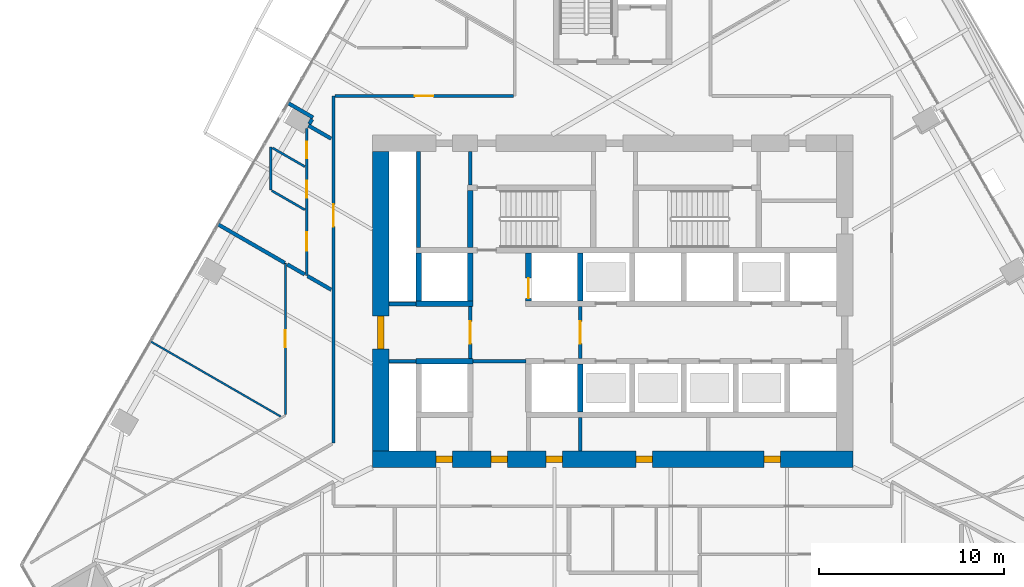
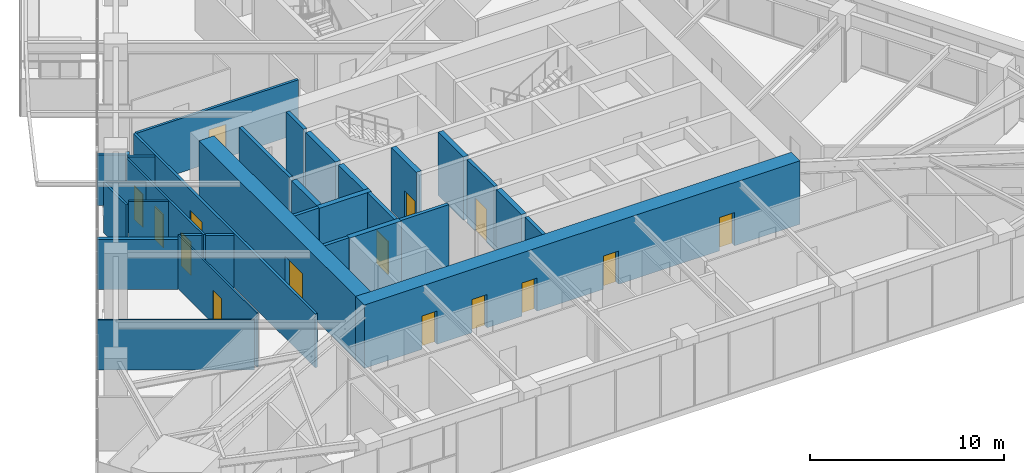
# One storey, part 21 of 29: 32 walls, 15 doors, 15 openings.
"""IFC4 building model written with IfcOpenShell, lengths in metres."""

from ifc_helpers import new_model, si_unit, direction, frame, frame_2d, origin, place, context, subcontext, project, spatial, rectangle, extrude, material, layer, layer_set, type_object, element, fill, save


model = new_model("IFC4")

# Units and contexts
model_context = context("Model", 3, precision=1e-05, world=origin(), true_north=direction((0.0, 1.0)))
body_context = subcontext(model_context, "Body", "Model", "MODEL_VIEW")
ifc_project = project(units=[si_unit("LENGTHUNIT", "METRE"), si_unit("AREAUNIT", "SQUARE_METRE"), si_unit("VOLUMEUNIT", "CUBIC_METRE"), si_unit("PLANEANGLEUNIT", "RADIAN"), si_unit("MASSUNIT", "GRAM", prefix="KILO")], contexts=[model_context])

# Site, building, storey
site_placement = place(None, origin())
site = spatial("IfcSite", under=ifc_project, at=site_placement, CompositionType="ELEMENT")
building_placement = place(site_placement, origin())
building = spatial("IfcBuilding", under=site, at=building_placement, Name="Firuza Gate Tower and Library", CompositionType="ELEMENT")
storey_placement = place(building_placement, frame((0.0, 0.0, 82.0)))
storey = spatial("IfcBuildingStorey", under=building, at=storey_placement, Name="L18", CompositionType="ELEMENT", Elevation=82.0)

# Walls
ifc_material_1 = material(Name="Plasterboard on steel studs", Category="steel")
ifc_layer_1 = layer(ifc_material_1, 0.199951171875)
ifc_layer_set_1 = layer_set([ifc_layer_1], Name="Core partition 200 EI 120")
wall_type_1 = type_object("IfcWallType", Name="Core partition 200 EI 120", PredefinedType="PARTITIONING", material=ifc_layer_set_1)
wall_1_placement = place(storey_placement, frame((62.89990234375, 71.75, 0.0), z_axis=(0.0, 0.0, 1.0), x_axis=(1.0, 0.0, 0.0)))
element("IfcWall", 1, at=wall_1_placement, inside=storey, type_object=wall_type_1, Name="Core partition L18 1", PredefinedType="PARTITIONING", context=body_context, shape_type="SweptSolid", body=[
    extrude(rectangle(XDim=1.4501953125, YDim=0.199951171875, at=frame_2d((0.72509765625, 0.0))), origin(), (0.0, 0.0, 1.0), 4.0),
])
wall_2_placement = place(storey_placement, frame((67.449951171875, 71.75, 0.0), z_axis=(0.0, 0.0, 1.0), x_axis=(1.0, 0.0, 0.0)))
element("IfcWall", 2, at=wall_2_placement, inside=storey, type_object=wall_type_1, Name="Core partition L18 2", PredefinedType="PARTITIONING", context=body_context, shape_type="SweptSolid", body=[
    extrude(rectangle(XDim=2.85009765625, YDim=0.199951171875, at=frame_2d((1.425048828125, 0.0))), origin(), (0.0, 0.0, 1.0), 4.0),
])
wall_3_placement = place(storey_placement, frame((62.89990234375, 74.85009765625, 0.0), z_axis=(0.0, 0.0, 1.0), x_axis=(1.0, 0.0, 0.0)))
element("IfcWall", 3, at=wall_3_placement, inside=storey, type_object=wall_type_1, Name="Core partition L18 3", PredefinedType="PARTITIONING", context=body_context, shape_type="SweptSolid", body=[
    extrude(rectangle(XDim=1.4501953125, YDim=0.199951171875, at=frame_2d((0.72509765625, 0.0))), origin(), (0.0, 0.0, 1.0), 4.0),
])
wall_4_placement = place(storey_placement, frame((64.5, 77.89990234375, 0.0), z_axis=(0.0, 0.0, 1.0), x_axis=(0.0, 1.0, 0.0)))
element("IfcWall", 4, at=wall_4_placement, inside=storey, type_object=wall_type_1, Name="Core partition L18 6", PredefinedType="PARTITIONING", context=body_context, shape_type="SweptSolid", body=[
    extrude(rectangle(XDim=5.2001953125, YDim=0.199951171875, at=frame_2d((2.60009765625, 0.0))), origin(), (0.0, 0.0, 1.0), 4.0),
])
wall_5_placement = place(storey_placement, frame((73.25, 66.89990234375, 0.0), z_axis=(0.0, 0.0, 1.0), x_axis=(0.0, 1.0, 0.0)))
element("IfcWall", 5, at=wall_5_placement, inside=storey, type_object=wall_type_1, Name="Core partition L18 11", PredefinedType="PARTITIONING", context=body_context, shape_type="SweptSolid", body=[
    extrude(rectangle(XDim=1.800048828125, YDim=0.199951171875, at=frame_2d((0.89990234375, 0.0))), origin(), (0.0, 0.0, 1.0), 4.0),
])

# Wall, opening, door
ifc_material_2 = material(Name="Plasterboard on steel studs", Category="steel")
ifc_layer_2 = layer(ifc_material_2, 0.199951171875)
ifc_layer_set_2 = layer_set([ifc_layer_2], Name="Core partition 200 EI 60")
wall_type_2 = type_object("IfcWallType", Name="Core partition 200 EI 60", PredefinedType="PARTITIONING", material=ifc_layer_set_2)
wall_6_placement = place(storey_placement, frame((67.300048828125, 71.89990234375, 0.0), z_axis=(0.0, 0.0, 1.0), x_axis=(0.0, 1.0, 0.0)))
wall_6 = element("IfcWall", 6, at=wall_6_placement, inside=storey, type_object=wall_type_2, Name="Core partition L18 8", PredefinedType="PARTITIONING", context=body_context, shape_type="SweptSolid", body=[
    extrude(rectangle(XDim=2.800048828125, YDim=0.199951171875, at=frame_2d((1.39990234375, 0.0))), origin(), (0.0, 0.0, 1.0), 4.0),
])
opening_1_placement = place(wall_6_placement, frame((0.800048828125, 0.0, 0.0)))
opening_1 = element("IfcOpeningElement", 7, at=opening_1_placement, cuts=wall_6, Name="Opening L18-K21", PredefinedType="OPENING", context=body_context, shape_type="SweptSolid", body=[
    extrude(rectangle(XDim=1.199951171875, YDim=2.10009765625, at=frame_2d((0.60009765625, 1.050048828125))), frame((0.0, 0.10986328125, 0.0), z_axis=(0.0, -1.0, 0.0), x_axis=(1.0, 0.0, 0.0)), (0.0, 0.0, 1.0), 0.219970703125),
])
ifc_material_3 = material(Name="Steel", Category="steel")
door_type_1 = type_object("IfcDoorType", Name="Fire door 1200x2100 FD90S", OperationType="NOTDEFINED", PredefinedType="DOOR", material=ifc_material_3)
door_1_placement = place(opening_1_placement, origin())
door_1 = element("IfcDoor", 8, at=door_1_placement, inside=storey, type_object=door_type_1, Name="Door L18-K21", OperationType="SINGLE_SWING_RIGHT", OverallHeight=2.10009765625, OverallWidth=1.199951171875, PredefinedType="DOOR", context=body_context, shape_type="SweptSolid", body=[
    extrude(rectangle(XDim=1.199951171875, YDim=2.10009765625, at=frame_2d((0.60009765625, 1.050048828125))), frame((0.0, 0.02490234375, 0.0), z_axis=(0.0, -1.0, 0.0), x_axis=(1.0, 0.0, 0.0)), (0.0, 0.0, 1.0), 0.050048828125),
])
fill(opening_1, door_1)

# Wall
wall_7_placement = place(storey_placement, frame((67.300048828125, 81.280029296875, 0.0), z_axis=(0.0, 0.0, 1.0), x_axis=(0.0, 1.0, 0.0)))
element("IfcWall", 9, at=wall_7_placement, inside=storey, type_object=wall_type_2, Name="Core partition L18 9", PredefinedType="PARTITIONING", context=body_context, shape_type="SweptSolid", body=[
    extrude(rectangle(XDim=1.820068359375, YDim=0.199951171875, at=frame_2d((0.91015625, 0.0))), origin(), (0.0, 0.0, 1.0), 4.0),
])

# Wall, opening, door
wall_8_placement = place(storey_placement, frame((73.25, 71.89990234375, 0.0), z_axis=(0.0, 0.0, 1.0), x_axis=(0.0, 1.0, 0.0)))
wall_8 = element("IfcWall", 10, at=wall_8_placement, inside=storey, type_object=wall_type_2, Name="Core partition L18 12", PredefinedType="PARTITIONING", context=body_context, shape_type="SweptSolid", body=[
    extrude(rectangle(XDim=2.800048828125, YDim=0.199951171875, at=frame_2d((1.39990234375, 0.0))), origin(), (0.0, 0.0, 1.0), 4.0),
])
opening_2_placement = place(wall_8_placement, frame((0.800048828125, 0.0, 0.0)))
opening_2 = element("IfcOpeningElement", 11, at=opening_2_placement, cuts=wall_8, Name="Opening L18-K20", PredefinedType="OPENING", context=body_context, shape_type="SweptSolid", body=[
    extrude(rectangle(XDim=1.199951171875, YDim=2.10009765625, at=frame_2d((0.60009765625, 1.050048828125))), frame((0.0, 0.10986328125, 0.0), z_axis=(0.0, -1.0, 0.0), x_axis=(1.0, 0.0, 0.0)), (0.0, 0.0, 1.0), 0.219970703125),
])
door_2_placement = place(opening_2_placement, origin())
door_2 = element("IfcDoor", 12, at=door_2_placement, inside=storey, type_object=door_type_1, Name="Door L18-K20", OperationType="SINGLE_SWING_LEFT", OverallHeight=2.10009765625, OverallWidth=1.199951171875, PredefinedType="DOOR", context=body_context, shape_type="SweptSolid", body=[
    extrude(rectangle(XDim=1.199951171875, YDim=2.10009765625, at=frame_2d((0.60009765625, 1.050048828125))), frame((0.0, 0.02490234375, 0.0), z_axis=(0.0, -1.0, 0.0), x_axis=(1.0, 0.0, 0.0)), (0.0, 0.0, 1.0), 0.050048828125),
])
fill(opening_2, door_2)

# Walls
ifc_material_4 = material(Name="Concrete C80/95", Category="concrete")
ifc_layer_3 = layer(ifc_material_4, 0.300048828125)
ifc_layer_set_3 = layer_set([ifc_layer_3], Name="Core wall 300 C80/95")
wall_type_3 = type_object("IfcWallType", Name="Core wall 300 C80/95", PredefinedType="SHEAR", material=ifc_layer_set_3)
for number, where, z_axis, x_axis, name in (
    (13, (64.35009765625, 71.75, 0.0), (0.0, 0.0, 1.0), (1.0, 0.0, 0.0), "Core wall L18 7"),
    (14, (64.35009765625, 74.85009765625, 0.0), (0.0, 0.0, 1.0), (1.0, 0.0, 0.0), "Core wall L18 9"),
):
    element("IfcWall", number, at=place(storey_placement, frame(where, z_axis=z_axis, x_axis=x_axis)), inside=storey, type_object=wall_type_3, Name=name, PredefinedType="SHEAR", context=body_context, shape_type="SweptSolid", body=[
        extrude(rectangle(XDim=3.099853515625, YDim=0.300048828125, at=frame_2d((1.5498046875, 0.0))), origin(), (0.0, 0.0, 1.0), 4.0),
    ])
for number, where, z_axis, x_axis, name in (
    (15, (64.5, 75.0, 0.0), (0.0, 0.0, 1.0), (0.0, 1.0, 0.0), "Core wall L18 12"),
    (16, (67.300048828125, 75.0, 0.0), (0.0, 0.0, 1.0), (0.0, 1.0, 0.0), "Core wall L18 14"),
):
    element("IfcWall", number, at=place(storey_placement, frame(where, z_axis=z_axis, x_axis=x_axis)), inside=storey, type_object=wall_type_3, Name=name, PredefinedType="SHEAR", context=body_context, shape_type="SweptSolid", body=[
        extrude(rectangle(XDim=2.60009765625, YDim=0.300048828125, at=frame_2d((1.300048828125, 0.0))), origin(), (0.0, 0.0, 1.0), 4.0),
    ])

# Wall, opening, door
wall_9_placement = place(storey_placement, frame((70.449951171875, 75.0, 0.0), z_axis=(0.0, 0.0, 1.0), x_axis=(0.0, 1.0, 0.0)))
wall_9 = element("IfcWall", 17, at=wall_9_placement, inside=storey, type_object=wall_type_3, Name="Core wall L18 16", PredefinedType="SHEAR", context=body_context, shape_type="SweptSolid", body=[
    extrude(rectangle(XDim=2.60009765625, YDim=0.300048828125, at=frame_2d((1.300048828125, 0.0))), origin(), (0.0, 0.0, 1.0), 4.0),
])
opening_3_placement = place(wall_9_placement, frame((0.14990234375, 0.0, 0.0)))
opening_3 = element("IfcOpeningElement", 18, at=opening_3_placement, cuts=wall_9, Name="Opening LD-FF2-L18", PredefinedType="OPENING", context=body_context, shape_type="SweptSolid", body=[
    extrude(rectangle(XDim=1.10009765625, YDim=2.10009765625, at=frame_2d((0.550048828125, 1.050048828125))), frame((0.0, 0.16015625, 0.0), z_axis=(0.0, -1.0, 0.0), x_axis=(1.0, 0.0, 0.0)), (0.0, 0.0, 1.0), 0.320068359375),
])
ifc_material_5 = material(Name="Stainless steel", Category="steel")
door_type_2 = type_object("IfcDoorType", Name="Lift landing door 1100x2100", OperationType="DOUBLE_DOOR_SLIDING", PredefinedType="DOOR", material=ifc_material_5)
door_3_placement = place(opening_3_placement, origin())
door_3 = element("IfcDoor", 19, at=door_3_placement, inside=storey, type_object=door_type_2, Name="Landing door FF2 L18", OperationType="DOUBLE_DOOR_SLIDING", OverallHeight=2.10009765625, OverallWidth=1.10009765625, PredefinedType="DOOR", context=body_context, shape_type="SweptSolid", body=[
    extrude(rectangle(XDim=1.10009765625, YDim=2.10009765625, at=frame_2d((0.550048828125, 1.050048828125))), frame((0.0, 0.02490234375, 0.0), z_axis=(0.0, -1.0, 0.0), x_axis=(1.0, 0.0, 0.0)), (0.0, 0.0, 1.0), 0.050048828125),
])
fill(opening_3, door_3)

# Walls
for number, where, z_axis, x_axis, name in (
    (20, (73.25, 69.0, 0.0), (0.0, 0.0, 1.0), (0.0, 1.0, 0.0), "Core wall L18 17"),
    (21, (73.25, 75.0, 0.0), (0.0, 0.0, 1.0), (0.0, 1.0, 0.0), "Core wall L18 18"),
):
    element("IfcWall", number, at=place(storey_placement, frame(where, z_axis=z_axis, x_axis=x_axis)), inside=storey, type_object=wall_type_3, Name=name, PredefinedType="SHEAR", context=body_context, shape_type="SweptSolid", body=[
        extrude(rectangle(XDim=2.60009765625, YDim=0.300048828125, at=frame_2d((1.300048828125, 0.0))), origin(), (0.0, 0.0, 1.0), 4.0),
    ])
wall_10_placement = place(storey_placement, frame((67.300048828125, 77.89990234375, 0.0), z_axis=(0.0, 0.0, 1.0), x_axis=(0.0, 1.0, 0.0)))
element("IfcWall", 22, at=wall_10_placement, inside=storey, type_object=wall_type_3, Name="Core wall L18 30", PredefinedType="SHEAR", context=body_context, shape_type="SweptSolid", body=[
    extrude(rectangle(XDim=3.080078125, YDim=0.300048828125, at=frame_2d((1.5400390625, 0.0))), origin(), (0.0, 0.0, 1.0), 4.0),
])

# Wall, openings, doors
ifc_material_6 = material(Name="Concrete C80/95", Category="concrete")
ifc_layer_4 = layer(ifc_material_6, 0.89990234375)
ifc_layer_set_4 = layer_set([ifc_layer_4], Name="Core wall 900 C80/95")
wall_type_4 = type_object("IfcWallType", Name="Core wall 900 C80/95", PredefinedType="SHEAR", material=ifc_layer_set_4)
wall_11_placement = place(storey_placement, frame((62.0, 66.449951171875, 0.0), z_axis=(0.0, 0.0, 1.0), x_axis=(1.0, 0.0, 0.0)))
wall_11 = element("IfcWall", 23, at=wall_11_placement, inside=storey, type_object=wall_type_4, Name="Core wall L18 1", PredefinedType="SHEAR", context=body_context, shape_type="SweptSolid", body=[
    extrude(rectangle(XDim=26.0, YDim=0.89990234375, at=frame_2d((13.0, 0.0))), origin(), (0.0, 0.0, 1.0), 4.0),
])
opening_4_placement = place(wall_11_placement, frame((3.449951171875, 0.0, 0.0)))
opening_4 = element("IfcOpeningElement", 24, at=opening_4_placement, cuts=wall_11, Name="Opening L18-K24", PredefinedType="OPENING", context=body_context, shape_type="SweptSolid", body=[
    extrude(rectangle(XDim=0.89990234375, YDim=2.10009765625, at=frame_2d((0.449951171875, 1.050048828125))), frame((0.0, 0.4599609375, 0.0), z_axis=(0.0, -1.0, 0.0), x_axis=(1.0, 0.0, 0.0)), (0.0, 0.0, 1.0), 0.919921875),
])
opening_5_placement = place(wall_11_placement, frame((6.425048828125, 0.0, 0.0)))
opening_5 = element("IfcOpeningElement", 25, at=opening_5_placement, cuts=wall_11, Name="Opening L18-K25", PredefinedType="OPENING", context=body_context, shape_type="SweptSolid", body=[
    extrude(rectangle(XDim=0.89990234375, YDim=2.10009765625, at=frame_2d((0.449951171875, 1.050048828125))), frame((0.0, 0.4599609375, 0.0), z_axis=(0.0, -1.0, 0.0), x_axis=(1.0, 0.0, 0.0)), (0.0, 0.0, 1.0), 0.919921875),
])
opening_6_placement = place(wall_11_placement, frame((9.39990234375, 0.0, 0.0)))
opening_6 = element("IfcOpeningElement", 26, at=opening_6_placement, cuts=wall_11, Name="Opening L18-K26", PredefinedType="OPENING", context=body_context, shape_type="SweptSolid", body=[
    extrude(rectangle(XDim=0.89990234375, YDim=2.10009765625, at=frame_2d((0.449951171875, 1.050048828125))), frame((0.0, 0.4599609375, 0.0), z_axis=(0.0, -1.0, 0.0), x_axis=(1.0, 0.0, 0.0)), (0.0, 0.0, 1.0), 0.919921875),
])
opening_7_placement = place(wall_11_placement, frame((14.262451171875, 0.0, 0.0)))
opening_7 = element("IfcOpeningElement", 27, at=opening_7_placement, cuts=wall_11, Name="Opening L18-K27", PredefinedType="OPENING", context=body_context, shape_type="SweptSolid", body=[
    extrude(rectangle(XDim=0.89990234375, YDim=2.10009765625, at=frame_2d((0.449951171875, 1.050048828125))), frame((0.0, 0.4599609375, 0.0), z_axis=(0.0, -1.0, 0.0), x_axis=(1.0, 0.0, 0.0)), (0.0, 0.0, 1.0), 0.919921875),
])
opening_8_placement = place(wall_11_placement, frame((21.1875, 0.0, 0.0)))
opening_8 = element("IfcOpeningElement", 28, at=opening_8_placement, cuts=wall_11, Name="Opening L18-K28", PredefinedType="OPENING", context=body_context, shape_type="SweptSolid", body=[
    extrude(rectangle(XDim=0.89990234375, YDim=2.10009765625, at=frame_2d((0.449951171875, 1.050048828125))), frame((0.0, 0.4599609375, 0.0), z_axis=(0.0, -1.0, 0.0), x_axis=(1.0, 0.0, 0.0)), (0.0, 0.0, 1.0), 0.919921875),
])
ifc_material_7 = material(Name="Steel", Category="steel")
door_type_3 = type_object("IfcDoorType", Name="Fire door 900x2100 FD30S", OperationType="NOTDEFINED", PredefinedType="DOOR", material=ifc_material_7)
door_4_placement = place(opening_4_placement, origin())
door_4 = element("IfcDoor", 29, at=door_4_placement, inside=storey, type_object=door_type_3, Name="Door L18-K24", OperationType="SINGLE_SWING_LEFT", OverallHeight=2.10009765625, OverallWidth=0.89990234375, PredefinedType="DOOR", context=body_context, shape_type="SweptSolid", body=[
    extrude(rectangle(XDim=0.89990234375, YDim=2.10009765625, at=frame_2d((0.449951171875, 1.050048828125))), frame((0.0, 0.169921875, 0.0), z_axis=(0.0, -1.0, 0.0), x_axis=(1.0, 0.0, 0.0)), (0.0, 0.0, 1.0), 0.33984375),
])
fill(opening_4, door_4)
door_5_placement = place(opening_5_placement, origin())
door_5 = element("IfcDoor", 30, at=door_5_placement, inside=storey, type_object=door_type_3, Name="Door L18-K25", OperationType="SINGLE_SWING_RIGHT", OverallHeight=2.10009765625, OverallWidth=0.89990234375, PredefinedType="DOOR", context=body_context, shape_type="SweptSolid", body=[
    extrude(rectangle(XDim=0.89990234375, YDim=2.10009765625, at=frame_2d((0.449951171875, 1.050048828125))), frame((0.0, 0.169921875, 0.0), z_axis=(0.0, -1.0, 0.0), x_axis=(1.0, 0.0, 0.0)), (0.0, 0.0, 1.0), 0.33984375),
])
fill(opening_5, door_5)
door_6_placement = place(opening_6_placement, origin())
door_6 = element("IfcDoor", 31, at=door_6_placement, inside=storey, type_object=door_type_3, Name="Door L18-K26", OperationType="SINGLE_SWING_LEFT", OverallHeight=2.10009765625, OverallWidth=0.89990234375, PredefinedType="DOOR", context=body_context, shape_type="SweptSolid", body=[
    extrude(rectangle(XDim=0.89990234375, YDim=2.10009765625, at=frame_2d((0.449951171875, 1.050048828125))), frame((0.0, 0.169921875, 0.0), z_axis=(0.0, -1.0, 0.0), x_axis=(1.0, 0.0, 0.0)), (0.0, 0.0, 1.0), 0.33984375),
])
fill(opening_6, door_6)
door_7_placement = place(opening_7_placement, origin())
door_7 = element("IfcDoor", 32, at=door_7_placement, inside=storey, type_object=door_type_3, Name="Door L18-K27", OperationType="SINGLE_SWING_RIGHT", OverallHeight=2.10009765625, OverallWidth=0.89990234375, PredefinedType="DOOR", context=body_context, shape_type="SweptSolid", body=[
    extrude(rectangle(XDim=0.89990234375, YDim=2.10009765625, at=frame_2d((0.449951171875, 1.050048828125))), frame((0.0, 0.169921875, 0.0), z_axis=(0.0, -1.0, 0.0), x_axis=(1.0, 0.0, 0.0)), (0.0, 0.0, 1.0), 0.33984375),
])
fill(opening_7, door_7)
door_8_placement = place(opening_8_placement, origin())
door_8 = element("IfcDoor", 33, at=door_8_placement, inside=storey, type_object=door_type_3, Name="Door L18-K28", OperationType="SINGLE_SWING_LEFT", OverallHeight=2.10009765625, OverallWidth=0.89990234375, PredefinedType="DOOR", context=body_context, shape_type="SweptSolid", body=[
    extrude(rectangle(XDim=0.89990234375, YDim=2.10009765625, at=frame_2d((0.449951171875, 1.050048828125))), frame((0.0, 0.169921875, 0.0), z_axis=(0.0, -1.0, 0.0), x_axis=(1.0, 0.0, 0.0)), (0.0, 0.0, 1.0), 0.33984375),
])
fill(opening_8, door_8)

# Wall, opening, door
wall_12_placement = place(storey_placement, frame((62.449951171875, 66.89990234375, 0.0), z_axis=(0.0, 0.0, 1.0), x_axis=(0.0, 1.0, 0.0)))
wall_12 = element("IfcWall", 34, at=wall_12_placement, inside=storey, type_object=wall_type_4, Name="Core wall L18 3", PredefinedType="SHEAR", context=body_context, shape_type="SweptSolid", body=[
    extrude(rectangle(XDim=16.2001953125, YDim=0.89990234375, at=frame_2d((8.10009765625, 0.0))), origin(), (0.0, 0.0, 1.0), 4.0),
])
opening_9_placement = place(wall_12_placement, frame((5.5, 0.0, 0.0)))
opening_9 = element("IfcOpeningElement", 35, at=opening_9_placement, cuts=wall_12, Name="Opening L18-K22", PredefinedType="OPENING", context=body_context, shape_type="SweptSolid", body=[
    extrude(rectangle(XDim=1.800048828125, YDim=2.10009765625, at=frame_2d((0.89990234375, 1.050048828125))), frame((0.0, 0.4599609375, 0.0), z_axis=(0.0, -1.0, 0.0), x_axis=(1.0, 0.0, 0.0)), (0.0, 0.0, 1.0), 0.919921875),
])
ifc_material_8 = material(Name="Steel", Category="steel")
door_type_4 = type_object("IfcDoorType", Name="Fire door 1800x2100 FD30S", OperationType="NOTDEFINED", PredefinedType="DOOR", material=ifc_material_8)
door_9_placement = place(opening_9_placement, origin())
door_9 = element("IfcDoor", 36, at=door_9_placement, inside=storey, type_object=door_type_4, Name="Door L18-K22", OperationType="SINGLE_SWING_LEFT", OverallHeight=2.10009765625, OverallWidth=1.800048828125, PredefinedType="DOOR", context=body_context, shape_type="SweptSolid", body=[
    extrude(rectangle(XDim=1.800048828125, YDim=2.10009765625, at=frame_2d((0.89990234375, 1.050048828125))), frame((0.0, 0.169921875, 0.0), z_axis=(0.0, -1.0, 0.0), x_axis=(1.0, 0.0, 0.0)), (0.0, 0.0, 1.0), 0.33984375),
])
fill(opening_9, door_9)

ifc_material_9 = material(Name="Gypsum board partition")
ifc_layer_5 = layer(ifc_material_9, 0.14990234375)
ifc_layer_set_5 = layer_set([ifc_layer_5], Name="Corridor wall 150 double board on steel studs")
wall_type_5 = type_object("IfcWallType", Name="Corridor wall 150 double board on steel studs", PredefinedType="PARTITIONING", material=ifc_layer_set_5)
wall_13_placement = place(storey_placement, frame((59.97802734375, 86.10009765625, 0.0), z_axis=(0.0, 0.0, 1.0), x_axis=(1.0, 0.0, 0.0)))
wall_13 = element("IfcWall", 37, at=wall_13_placement, inside=storey, type_object=wall_type_5, Name="f:L18:w005", PredefinedType="PARTITIONING", context=body_context, shape_type="SweptSolid", body=[
    extrude(rectangle(XDim=9.64697265625, YDim=0.14990234375, at=frame_2d((4.823486328125, 0.0))), origin(), (0.0, 0.0, 1.0), 3.39990234375),
])
opening_10_placement = place(wall_13_placement, frame((4.323486328125, 0.0, 0.0)))
opening_10 = element("IfcOpeningElement", 38, at=opening_10_placement, cuts=wall_13, Name="Opening L18-10", PredefinedType="OPENING", context=body_context, shape_type="SweptSolid", body=[
    extrude(rectangle(XDim=1.0, YDim=2.10009765625, at=frame_2d((0.5, 1.050048828125))), frame((0.0, 0.0849609375, 0.0), z_axis=(0.0, -1.0, 0.0), x_axis=(1.0, 0.0, 0.0)), (0.0, 0.0, 1.0), 0.169921875),
])
ifc_material_10 = material(Name="Steel door and timber leaf", Category="steel")
door_type_5 = type_object("IfcDoorType", Name="Fire door 1000 x 2100 steel frame, timber leaf", OperationType="NOTDEFINED", PredefinedType="DOOR", material=ifc_material_10)
door_10_placement = place(opening_10_placement, origin())
door_10 = element("IfcDoor", 39, at=door_10_placement, inside=storey, type_object=door_type_5, Name="f:L18:d010", OperationType="SINGLE_SWING_LEFT", OverallHeight=2.10009765625, OverallWidth=1.0, PredefinedType="DOOR", context=body_context, shape_type="SweptSolid", body=[
    extrude(rectangle(XDim=1.0, YDim=2.10009765625, at=frame_2d((0.5, 1.050048828125))), frame((0.0, 0.02490234375, 0.0), z_axis=(0.0, -1.0, 0.0), x_axis=(1.0, 0.0, 0.0)), (0.0, 0.0, 1.0), 0.050048828125),
])
fill(opening_10, door_10)

wall_14_placement = place(storey_placement, frame((59.89990234375, 67.3212890625, 0.0), z_axis=(0.0, 0.0, 1.0), x_axis=(0.0, 1.0, 0.0)))
wall_14 = element("IfcWall", 40, at=wall_14_placement, inside=storey, type_object=wall_type_5, Name="f:L18:w047", PredefinedType="PARTITIONING", context=body_context, shape_type="SweptSolid", body=[
    extrude(rectangle(XDim=18.775634765625, YDim=0.14990234375, at=frame_2d((9.3876953125, 0.0))), origin(), (0.0, 0.0, 1.0), 3.39990234375),
])
opening_11_placement = place(wall_14_placement, frame((11.7109375, 0.0, 0.0)))
opening_11 = element("IfcOpeningElement", 41, at=opening_11_placement, cuts=wall_14, Name="Opening L18-25", PredefinedType="OPENING", context=body_context, shape_type="SweptSolid", body=[
    extrude(rectangle(XDim=1.199951171875, YDim=2.10009765625, at=frame_2d((0.60009765625, 1.050048828125))), frame((0.0, 0.0849609375, 0.0), z_axis=(0.0, -1.0, 0.0), x_axis=(1.0, 0.0, 0.0)), (0.0, 0.0, 1.0), 0.169921875),
])
ifc_material_11 = material(Name="Steel door and timber leaf", Category="steel")
door_type_6 = type_object("IfcDoorType", Name="Fire door 1200 x 2100 steel frame, double leaf", OperationType="NOTDEFINED", PredefinedType="DOOR", material=ifc_material_11)
door_11_placement = place(opening_11_placement, origin())
door_11 = element("IfcDoor", 42, at=door_11_placement, inside=storey, type_object=door_type_6, Name="f:L18:d025", OperationType="DOUBLE_DOOR_SINGLE_SWING", OverallHeight=2.10009765625, OverallWidth=1.199951171875, PredefinedType="DOOR", context=body_context, shape_type="SweptSolid", body=[
    extrude(rectangle(XDim=1.199951171875, YDim=2.10009765625, at=frame_2d((0.60009765625, 1.050048828125))), frame((0.0, 0.02490234375, 0.0), z_axis=(0.0, -1.0, 0.0), x_axis=(1.0, 0.0, 0.0)), (0.0, 0.0, 1.0), 0.050048828125),
])
fill(opening_11, door_11)

# Walls
ifc_material_12 = material(Name="Gypsum board partition")
ifc_layer_6 = layer(ifc_material_12, 0.199951171875)
ifc_layer_set_6 = layer_set([ifc_layer_6], Name="Demising wall 200 acoustic double stud")
wall_type_6 = type_object("IfcWallType", Name="Demising wall 200 acoustic double stud", PredefinedType="PARTITIONING", material=ifc_layer_set_6)
wall_15_placement = place(storey_placement, frame((58.594970703125, 84.58740234375, 0.0), z_axis=(0.0, 0.0, 1.0), x_axis=(0.499769970942, 0.866158170397, 0.0)))
element("IfcWall", 43, at=wall_15_placement, inside=storey, type_object=wall_type_6, Name="f:L18:w028", PredefinedType="PARTITIONING", context=body_context, shape_type="SweptSolid", body=[
    extrude(rectangle(XDim=0.296630859375, YDim=0.199951171875, at=frame_2d((0.1484375, 0.0))), origin(), (0.0, 0.0, 1.0), 3.39990234375),
])
wall_16_placement = place(storey_placement, frame((58.792236328125, 84.93505859375, 0.0), z_axis=(0.0, 0.0, 1.0), x_axis=(-0.866073306909, 0.499917020175, 0.0)))
element("IfcWall", 44, at=wall_16_placement, inside=storey, type_object=wall_type_6, Name="f:L18:w064", PredefinedType="PARTITIONING", context=body_context, shape_type="SweptSolid", body=[
    extrude(rectangle(XDim=1.556884765625, YDim=0.199951171875, at=frame_2d((0.7783203125, 0.0))), origin(), (0.0, 0.0, 1.0), 3.1650390625),
])
wall_17_placement = place(storey_placement, frame((59.773193359375, 83.791259765625, 0.0), z_axis=(0.0, 0.0, 1.0), x_axis=(-0.865999255827, 0.500045286857, 0.0)))
element("IfcWall", 45, at=wall_17_placement, inside=storey, type_object=wall_type_6, Name="f:L18:w065", PredefinedType="PARTITIONING", context=body_context, shape_type="SweptSolid", body=[
    extrude(rectangle(XDim=1.418212890625, YDim=0.199951171875, at=frame_2d((0.708984375, 0.0))), origin(), (0.0, 0.0, 1.0), 3.39990234375),
])
wall_18_placement = place(storey_placement, frame((59.773193359375, 75.61962890625, 0.0), z_axis=(0.0, 0.0, 1.0), x_axis=(-0.866056109487, 0.499946812391, 0.0)))
element("IfcWall", 46, at=wall_18_placement, inside=storey, type_object=wall_type_6, Name="f:L18:w072", PredefinedType="PARTITIONING", context=body_context, shape_type="SweptSolid", body=[
    extrude(rectangle(XDim=1.475830078125, YDim=0.199951171875, at=frame_2d((0.73779296875, 0.0))), origin(), (0.0, 0.0, 1.0), 3.39990234375),
])
wall_19_placement = place(storey_placement, frame((58.340087890625, 76.447021484375, 0.0), z_axis=(0.0, 0.0, 1.0), x_axis=(-0.866062005839, 0.499936598022, 0.0)))
element("IfcWall", 47, at=wall_19_placement, inside=storey, type_object=wall_type_6, Name="f:L18:w082", PredefinedType="PARTITIONING", context=body_context, shape_type="SweptSolid", body=[
    extrude(rectangle(XDim=1.085693359375, YDim=0.199951171875, at=frame_2d((0.54296875, 0.0))), origin(), (0.0, 0.0, 1.0), 3.39990234375),
])
wall_20_placement = place(storey_placement, frame((57.2626953125, 77.069091796875, 0.0), z_axis=(0.0, 0.0, 1.0), x_axis=(-0.866048944448, 0.499959224157, 0.0)))
element("IfcWall", 48, at=wall_20_placement, inside=storey, type_object=wall_type_6, Name="f:L18:w083", PredefinedType="PARTITIONING", context=body_context, shape_type="SweptSolid", body=[
    extrude(rectangle(XDim=4.165283203125, YDim=0.199951171875, at=frame_2d((2.08251953125, 0.0))), origin(), (0.0, 0.0, 1.0), 3.1650390625),
])

# Wall, opening, door
ifc_material_13 = material(Name="Gypsum board partition")
ifc_layer_7 = layer(ifc_material_13, 0.10009765625)
ifc_layer_set_7 = layer_set([ifc_layer_7], Name="Partition 100 gypsum board on steel studs")
wall_type_7 = type_object("IfcWallType", Name="Partition 100 gypsum board on steel studs", PredefinedType="PARTITIONING", material=ifc_layer_set_7)
wall_21_placement = place(storey_placement, frame((57.300048828125, 68.880126953125, 0.0), z_axis=(0.0, 0.0, 1.0), x_axis=(0.0, 1.0, 0.0)))
wall_21 = element("IfcWall", 49, at=wall_21_placement, inside=storey, type_object=wall_type_7, Name="f:L18:w050", PredefinedType="PARTITIONING", context=body_context, shape_type="SweptSolid", body=[
    extrude(rectangle(XDim=8.1669921875, YDim=0.10009765625, at=frame_2d((4.08349609375, 0.0))), origin(), (0.0, 0.0, 1.0), 3.39990234375),
])
opening_12_placement = place(wall_21_placement, frame((3.633544921875, 0.0, 0.0)))
opening_12 = element("IfcOpeningElement", 50, at=opening_12_placement, cuts=wall_21, Name="Opening L18-29", PredefinedType="OPENING", context=body_context, shape_type="SweptSolid", body=[
    extrude(rectangle(XDim=0.89990234375, YDim=2.10009765625, at=frame_2d((0.449951171875, 1.050048828125))), frame((0.0, 0.06005859375, 0.0), z_axis=(0.0, -1.0, 0.0), x_axis=(1.0, 0.0, 0.0)), (0.0, 0.0, 1.0), 0.1201171875),
])
ifc_material_14 = material(Name="Timber door", Category="wood")
door_type_7 = type_object("IfcDoorType", Name="Door 900 x 2100 timber leaf", OperationType="NOTDEFINED", PredefinedType="DOOR", material=ifc_material_14)
door_12_placement = place(opening_12_placement, origin())
door_12 = element("IfcDoor", 51, at=door_12_placement, inside=storey, type_object=door_type_7, Name="f:L18:d029", OperationType="SINGLE_SWING_RIGHT", OverallHeight=2.10009765625, OverallWidth=0.89990234375, PredefinedType="DOOR", context=body_context, shape_type="SweptSolid", body=[
    extrude(rectangle(XDim=0.89990234375, YDim=2.10009765625, at=frame_2d((0.449951171875, 1.050048828125))), frame((0.0, 0.02490234375, 0.0), z_axis=(0.0, -1.0, 0.0), x_axis=(1.0, 0.0, 0.0)), (0.0, 0.0, 1.0), 0.050048828125),
])
fill(opening_12, door_12)

# Wall
wall_22_placement = place(storey_placement, frame((57.0400390625, 68.76025390625, 0.0), z_axis=(0.0, 0.0, 1.0), x_axis=(-0.866036506983, 0.499980768202, 0.0)))
element("IfcWall", 52, at=wall_22_placement, inside=storey, type_object=wall_type_7, Name="f:L18:w073", PredefinedType="PARTITIONING", context=body_context, shape_type="SweptSolid", body=[
    extrude(rectangle(XDim=8.126708984375, YDim=0.10009765625, at=frame_2d((4.0634765625, 0.0))), origin(), (0.0, 0.0, 1.0), 3.1650390625),
])

# Wall, openings, doors
ifc_material_15 = material(Name="Gypsum board partition")
ifc_layer_8 = layer(ifc_material_15, 0.1201171875)
ifc_layer_set_8 = layer_set([ifc_layer_8], Name="Wet-area partition 120 moisture-resistant board")
wall_type_8 = type_object("IfcWallType", Name="Wet-area partition 120 moisture-resistant board", PredefinedType="PARTITIONING", material=ifc_layer_set_8)
wall_23_placement = place(storey_placement, frame((58.449951171875, 84.3359375, 0.0), z_axis=(0.0, 0.0, 1.0), x_axis=(0.0, -1.0, 0.0)))
wall_23 = element("IfcWall", 53, at=wall_23_placement, inside=storey, type_object=wall_type_8, Name="f:L18:w049", PredefinedType="PARTITIONING", context=body_context, shape_type="SweptSolid", body=[
    extrude(rectangle(XDim=7.95263671875, YDim=0.1201171875, at=frame_2d((3.976318359375, 0.0))), origin(), (0.0, 0.0, 1.0), 3.39990234375),
])
opening_13_placement = place(wall_23_placement, frame((0.70947265625, 0.0, 0.0)))
opening_13 = element("IfcOpeningElement", 54, at=opening_13_placement, cuts=wall_23, Name="Opening L18-26", PredefinedType="OPENING", context=body_context, shape_type="SweptSolid", body=[
    extrude(rectangle(XDim=0.89990234375, YDim=2.10009765625, at=frame_2d((0.449951171875, 1.050048828125))), frame((0.0, 0.070068359375, 0.0), z_axis=(0.0, -1.0, 0.0), x_axis=(1.0, 0.0, 0.0)), (0.0, 0.0, 1.0), 0.14013671875),
])
opening_14_placement = place(wall_23_placement, frame((2.8330078125, 0.0, 0.0)))
opening_14 = element("IfcOpeningElement", 55, at=opening_14_placement, cuts=wall_23, Name="Opening L18-27", PredefinedType="OPENING", context=body_context, shape_type="SweptSolid", body=[
    extrude(rectangle(XDim=0.89990234375, YDim=2.10009765625, at=frame_2d((0.449951171875, 1.050048828125))), frame((0.0, 0.070068359375, 0.0), z_axis=(0.0, -1.0, 0.0), x_axis=(1.0, 0.0, 0.0)), (0.0, 0.0, 1.0), 0.14013671875),
])
opening_15_placement = place(wall_23_placement, frame((5.599853515625, 0.0, 0.0)))
opening_15 = element("IfcOpeningElement", 56, at=opening_15_placement, cuts=wall_23, Name="Opening L18-28", PredefinedType="OPENING", context=body_context, shape_type="SweptSolid", body=[
    extrude(rectangle(XDim=1.0, YDim=2.10009765625, at=frame_2d((0.5, 1.050048828125))), frame((0.0, 0.070068359375, 0.0), z_axis=(0.0, -1.0, 0.0), x_axis=(1.0, 0.0, 0.0)), (0.0, 0.0, 1.0), 0.14013671875),
])
ifc_material_16 = material(Name="Timber door", Category="wood")
door_type_8 = type_object("IfcDoorType", Name="Door 1000 x 2100 timber leaf", OperationType="NOTDEFINED", PredefinedType="DOOR", material=ifc_material_16)
door_13_placement = place(opening_15_placement, origin())
door_13 = element("IfcDoor", 57, at=door_13_placement, inside=storey, type_object=door_type_8, Name="f:L18:d028", OperationType="SINGLE_SWING_LEFT", OverallHeight=2.10009765625, OverallWidth=1.0, PredefinedType="DOOR", context=body_context, shape_type="SweptSolid", body=[
    extrude(rectangle(XDim=1.0, YDim=2.10009765625, at=frame_2d((0.5, 1.050048828125))), frame((0.0, 0.02490234375, 0.0), z_axis=(0.0, -1.0, 0.0), x_axis=(1.0, 0.0, 0.0)), (0.0, 0.0, 1.0), 0.050048828125),
])
fill(opening_15, door_13)
door_14_placement = place(opening_13_placement, origin())
door_14 = element("IfcDoor", 58, at=door_14_placement, inside=storey, type_object=door_type_7, Name="f:L18:d026", OperationType="SINGLE_SWING_LEFT", OverallHeight=2.10009765625, OverallWidth=0.89990234375, PredefinedType="DOOR", context=body_context, shape_type="SweptSolid", body=[
    extrude(rectangle(XDim=0.89990234375, YDim=2.10009765625, at=frame_2d((0.449951171875, 1.050048828125))), frame((0.0, 0.02490234375, 0.0), z_axis=(0.0, -1.0, 0.0), x_axis=(1.0, 0.0, 0.0)), (0.0, 0.0, 1.0), 0.050048828125),
])
fill(opening_13, door_14)
door_15_placement = place(opening_14_placement, origin())
door_15 = element("IfcDoor", 59, at=door_15_placement, inside=storey, type_object=door_type_7, Name="f:L18:d027", OperationType="SINGLE_SWING_RIGHT", OverallHeight=2.10009765625, OverallWidth=0.89990234375, PredefinedType="DOOR", context=body_context, shape_type="SweptSolid", body=[
    extrude(rectangle(XDim=0.89990234375, YDim=2.10009765625, at=frame_2d((0.449951171875, 1.050048828125))), frame((0.0, 0.02490234375, 0.0), z_axis=(0.0, -1.0, 0.0), x_axis=(1.0, 0.0, 0.0)), (0.0, 0.0, 1.0), 0.050048828125),
])
fill(opening_14, door_15)

# Walls
wall_24_placement = place(storey_placement, frame((56.5, 81.011474609375, 0.0), z_axis=(0.0, 0.0, 1.0), x_axis=(0.0, 1.0, 0.0)))
element("IfcWall", 60, at=wall_24_placement, inside=storey, type_object=wall_type_8, Name="f:L18:w051", PredefinedType="PARTITIONING", context=body_context, shape_type="SweptSolid", body=[
    extrude(rectangle(XDim=2.337646484375, YDim=0.1201171875, at=frame_2d((1.1689453125, 0.0))), origin(), (0.0, 0.0, 1.0), 3.1650390625),
])
wall_25_placement = place(storey_placement, frame((58.35546875, 82.275146484375, 0.0), z_axis=(0.0, 0.0, 1.0), x_axis=(-0.866069607179, 0.499923429657, 0.0)))
element("IfcWall", 61, at=wall_25_placement, inside=storey, type_object=wall_type_8, Name="f:L18:w068", PredefinedType="PARTITIONING", context=body_context, shape_type="SweptSolid", body=[
    extrude(rectangle(XDim=2.032958984375, YDim=0.1201171875, at=frame_2d((1.0166015625, 0.0))), origin(), (0.0, 0.0, 1.0), 3.1650390625),
])
wall_26_placement = place(storey_placement, frame((58.35546875, 79.940185546875, 0.0), z_axis=(0.0, 0.0, 1.0), x_axis=(-0.866038486578, 0.499977339252, 0.0)))
element("IfcWall", 62, at=wall_26_placement, inside=storey, type_object=wall_type_8, Name="f:L18:w071", PredefinedType="PARTITIONING", context=body_context, shape_type="SweptSolid", body=[
    extrude(rectangle(XDim=2.07275390625, YDim=0.1201171875, at=frame_2d((1.036376953125, 0.0))), origin(), (0.0, 0.0, 1.0), 3.39990234375),
])

save(model, "model.ifc")
